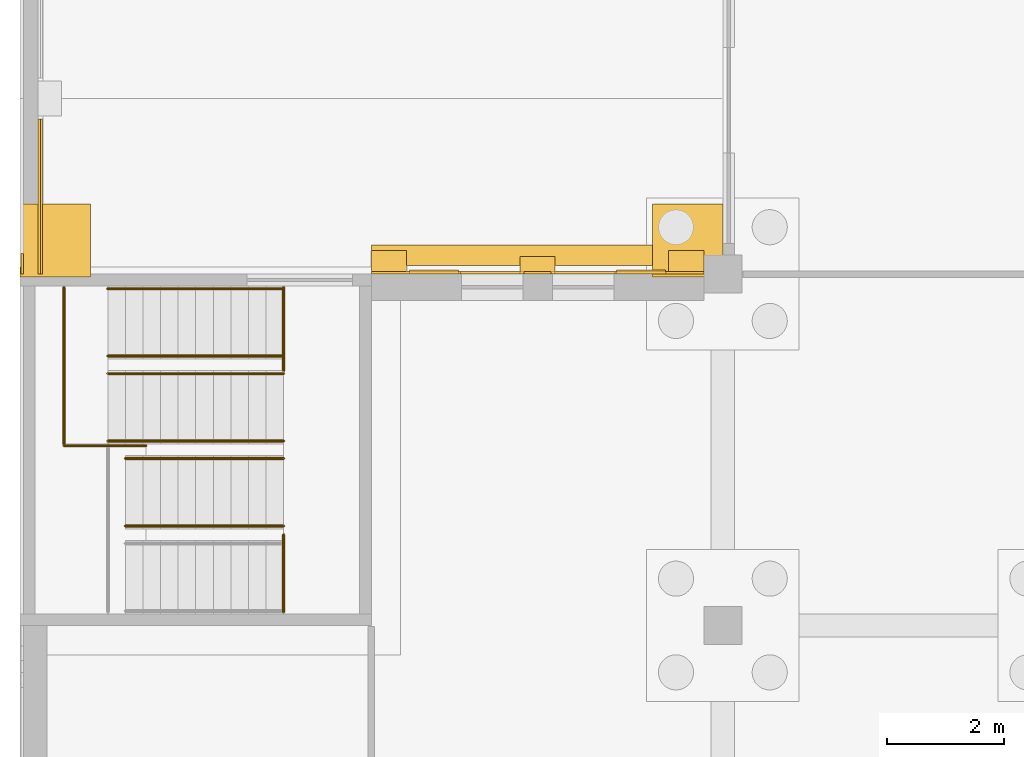
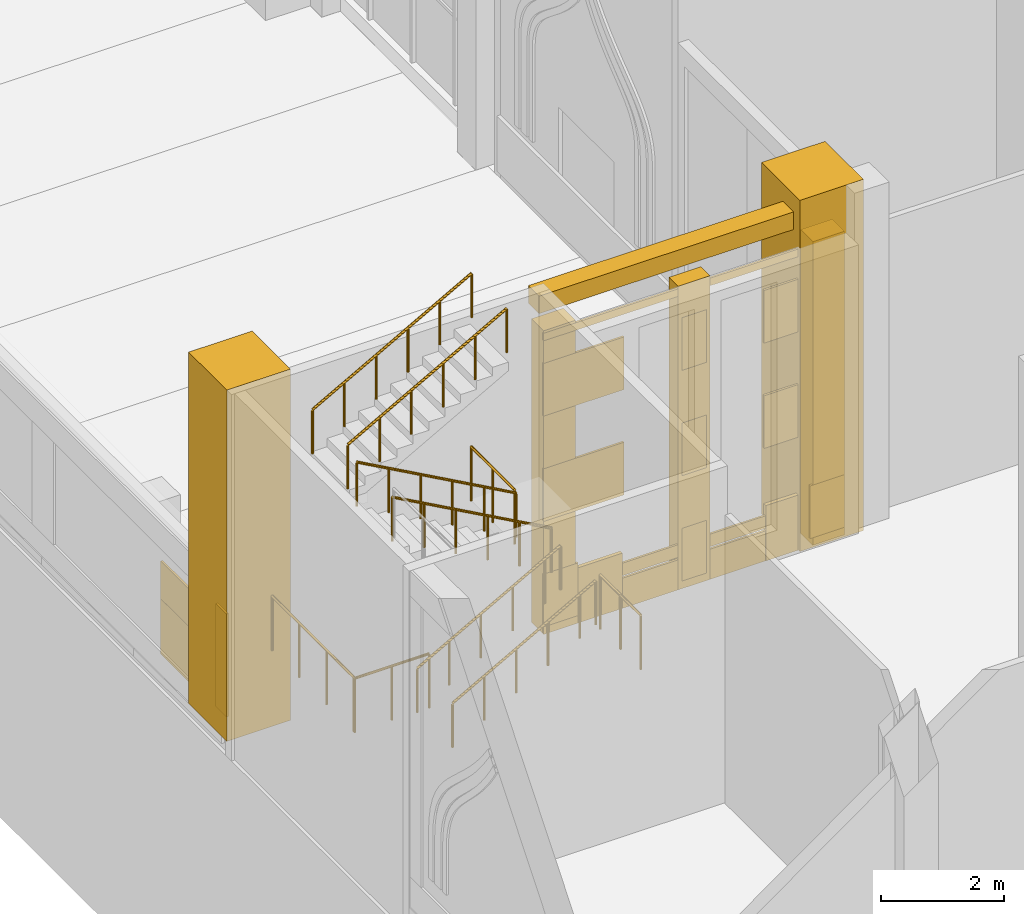
# One storey, part 62 of 95: 23 coverings, 10 railings.
"""IFC4 building model written with IfcOpenShell, lengths in metres."""

from ifc_helpers import new_model, si_unit, direction, frame, origin, origin_2d, place, context, subcontext, project, spatial, rectangle, circle, extrude, material, layer, layer_set, type_object, element, save


model = new_model("IFC4")

# Units and contexts
model_context = context("Model", 3, precision=1e-05, world=origin(), true_north=direction((0.0, 1.0)))
body_context = subcontext(model_context, "Body", "Model", "MODEL_VIEW")
ifc_project = project(units=[si_unit("LENGTHUNIT", "METRE"), si_unit("AREAUNIT", "SQUARE_METRE"), si_unit("VOLUMEUNIT", "CUBIC_METRE"), si_unit("PLANEANGLEUNIT", "RADIAN"), si_unit("MASSUNIT", "GRAM", prefix="KILO")], contexts=[model_context])

# Site, building, storey
site_placement = place(None, origin())
site = spatial("IfcSite", under=ifc_project, at=site_placement, CompositionType="ELEMENT")
building_placement = place(site_placement, origin())
building = spatial("IfcBuilding", under=site, at=building_placement, Name="Saffron Lane Theatres", CompositionType="ELEMENT")
storey_placement = place(building_placement, origin())
storey = spatial("IfcBuildingStorey", under=building, at=storey_placement, Name="L00", CompositionType="ELEMENT", Elevation=0.0)

# Coverings
ifc_material_1 = material(Name="Masonry sandstone", Category="masonry")
ifc_layer_1 = layer(ifc_material_1, 0.0400390625)
ifc_layer_set_1 = layer_set([ifc_layer_1], Name="Masonry sandstone")
covering_type_1 = type_object("IfcCoveringType", Name="EX-BANDING COURSE SANDSTONE 40", PredefinedType="CLADDING", material=ifc_layer_set_1)
covering_1_placement = place(storey_placement, frame((0.330078125, 31.324951171875, 1.10009765625), z_axis=(0.0, 0.0, 1.0), x_axis=(0.0, 1.0, 0.0)))
element("IfcCovering", 1, at=covering_1_placement, inside=storey, type_object=covering_type_1, Name="Banding course L00", PredefinedType="CLADDING", context=body_context, shape_type="SweptSolid", body=[
    extrude(rectangle(XDim=2.64990234375, YDim=0.0400390625, at=origin_2d()), origin(), (0.0, 0.0, 1.0), 0.75),
])
ifc_material_2 = material(Name="Face brick cladding, pale buff", Category="masonry")
ifc_layer_2 = layer(ifc_material_2, 0.0400390625)
ifc_layer_set_2 = layer_set([ifc_layer_2], Name="Face brick cladding, pale buff")
covering_type_2 = type_object("IfcCoveringType", Name="EX-FACE BRICK CLADDING PALE BUFF 40", PredefinedType="CLADDING", material=ifc_layer_set_2)
covering_2_placement = place(storey_placement, frame((6.324951171875, 30.02001953125, 0.14990234375), z_axis=(0.0, 0.0, 1.0), x_axis=(1.0, 0.0, 0.0)))
element("IfcCovering", 2, at=covering_2_placement, inside=storey, type_object=covering_type_2, Name="Cladding course L00", PredefinedType="CLADDING", context=body_context, shape_type="SweptSolid", body=[
    extrude(rectangle(XDim=0.64990234375, YDim=0.0400390625, at=origin_2d()), origin(), (0.0, 0.0, 1.0), 1.050048828125),
])
covering_3_placement = place(storey_placement, frame((8.837890625, 30.02001953125, 0.14990234375), z_axis=(0.0, 0.0, 1.0), x_axis=(1.0, 0.0, 0.0)))
element("IfcCovering", 3, at=covering_3_placement, inside=storey, type_object=covering_type_2, Name="Cladding course L00", PredefinedType="CLADDING", context=body_context, shape_type="SweptSolid", body=[
    extrude(rectangle(XDim=0.4599609375, YDim=0.0400390625, at=origin_2d()), origin(), (0.0, 0.0, 1.0), 1.050048828125),
])
covering_4_placement = place(storey_placement, frame((11.35009765625, 30.02001953125, 0.14990234375), z_axis=(0.0, 0.0, 1.0), x_axis=(1.0, 0.0, 0.0)))
element("IfcCovering", 4, at=covering_4_placement, inside=storey, type_object=covering_type_2, Name="Cladding course L00", PredefinedType="CLADDING", context=body_context, shape_type="SweptSolid", body=[
    extrude(rectangle(XDim=0.64990234375, YDim=0.0400390625, at=origin_2d()), origin(), (0.0, 0.0, 1.0), 1.050048828125),
])
covering_5_placement = place(storey_placement, frame((6.759033203125, 30.02001953125, 2.25), z_axis=(0.0, 0.0, 1.0), x_axis=(1.0, 0.0, 0.0)))
element("IfcCovering", 5, at=covering_5_placement, inside=storey, type_object=covering_type_2, Name="Cladding course L00", PredefinedType="CLADDING", context=body_context, shape_type="SweptSolid", body=[
    extrude(rectangle(XDim=1.51806640625, YDim=0.0400390625, at=origin_2d()), origin(), (0.0, 0.0, 1.0), 1.050048828125),
])
covering_6_placement = place(storey_placement, frame((8.837890625, 30.02001953125, 2.25), z_axis=(0.0, 0.0, 1.0), x_axis=(1.0, 0.0, 0.0)))
element("IfcCovering", 6, at=covering_6_placement, inside=storey, type_object=covering_type_2, Name="Cladding course L00", PredefinedType="CLADDING", context=body_context, shape_type="SweptSolid", body=[
    extrude(rectangle(XDim=0.4599609375, YDim=0.0400390625, at=origin_2d()), origin(), (0.0, 0.0, 1.0), 1.050048828125),
])
covering_7_placement = place(storey_placement, frame((10.916015625, 30.02001953125, 2.25), z_axis=(0.0, 0.0, 1.0), x_axis=(1.0, 0.0, 0.0)))
element("IfcCovering", 7, at=covering_7_placement, inside=storey, type_object=covering_type_2, Name="Cladding course L00", PredefinedType="CLADDING", context=body_context, shape_type="SweptSolid", body=[
    extrude(rectangle(XDim=1.51708984375, YDim=0.0400390625, at=origin_2d()), origin(), (0.0, 0.0, 1.0), 1.050048828125),
])
covering_8_placement = place(storey_placement, frame((6.759033203125, 30.02001953125, 4.35009765625), z_axis=(0.0, 0.0, 1.0), x_axis=(1.0, 0.0, 0.0)))
element("IfcCovering", 8, at=covering_8_placement, inside=storey, type_object=covering_type_2, Name="Cladding course L00", PredefinedType="CLADDING", context=body_context, shape_type="SweptSolid", body=[
    extrude(rectangle(XDim=1.51806640625, YDim=0.0400390625, at=origin_2d()), origin(), (0.0, 0.0, 1.0), 1.050048828125),
])
covering_9_placement = place(storey_placement, frame((8.837890625, 30.02001953125, 4.35009765625), z_axis=(0.0, 0.0, 1.0), x_axis=(1.0, 0.0, 0.0)))
element("IfcCovering", 9, at=covering_9_placement, inside=storey, type_object=covering_type_2, Name="Cladding course L00", PredefinedType="CLADDING", context=body_context, shape_type="SweptSolid", body=[
    extrude(rectangle(XDim=0.4599609375, YDim=0.0400390625, at=origin_2d()), origin(), (0.0, 0.0, 1.0), 1.050048828125),
])
covering_10_placement = place(storey_placement, frame((10.916015625, 30.02001953125, 4.35009765625), z_axis=(0.0, 0.0, 1.0), x_axis=(1.0, 0.0, 0.0)))
element("IfcCovering", 10, at=covering_10_placement, inside=storey, type_object=covering_type_2, Name="Cladding course L00", PredefinedType="CLADDING", context=body_context, shape_type="SweptSolid", body=[
    extrude(rectangle(XDim=1.51708984375, YDim=0.0400390625, at=origin_2d()), origin(), (0.0, 0.0, 1.0), 1.050048828125),
])
ifc_material_3 = material(Name="Face brick cladding, pale buff", Category="masonry")
ifc_layer_3 = layer(ifc_material_3, 0.0400390625)
ifc_layer_set_3 = layer_set([ifc_layer_3], Name="Face brick cladding, pale buff")
covering_type_3 = type_object("IfcCoveringType", Name="EX-FACE BRICK SKIN PALE BUFF 40", PredefinedType="CLADDING", material=ifc_layer_set_3)
covering_11_placement = place(storey_placement, frame((0.0400390625, 30.175048828125, 0.4501953125), z_axis=(0.0, 0.0, 1.0), x_axis=(0.0, 1.0, 0.0)))
element("IfcCovering", 11, at=covering_11_placement, inside=storey, type_object=covering_type_3, Name="Face brick cladding, pale buff L00", PredefinedType="CLADDING", context=body_context, shape_type="SweptSolid", body=[
    extrude(rectangle(XDim=0.35009765625, YDim=0.0400390625, at=origin_2d()), origin(), (0.0, 0.0, 1.0), 2.050048828125),
])
ifc_material_4 = material(Name="Masonry sandstone", Category="masonry")
ifc_layer_4 = layer(ifc_material_4, 0.0400390625)
ifc_layer_set_4 = layer_set([ifc_layer_4], Name="Masonry sandstone")
covering_type_4 = type_object("IfcCoveringType", Name="EX-HEAD COURSE SANDSTONE 150", PredefinedType="CLADDING", material=ifc_layer_set_4)
covering_12_placement = place(storey_placement, frame((8.83740234375, 30.02001953125, 5.85009765625), z_axis=(0.0, 0.0, 1.0), x_axis=(1.0, 0.0, 0.0)))
element("IfcCovering", 12, at=covering_12_placement, inside=storey, type_object=covering_type_4, Name="Facade head course L00", PredefinedType="CLADDING", context=body_context, shape_type="SweptSolid", body=[
    extrude(rectangle(XDim=5.675048828125, YDim=0.0400390625, at=origin_2d()), origin(), (0.0, 0.0, 1.0), 0.14990234375),
])
ifc_material_5 = material(Name="Masonry sandstone", Category="masonry")
ifc_layer_5 = layer(ifc_material_5, 0.39990234375)
ifc_layer_set_5 = layer_set([ifc_layer_5], Name="Masonry sandstone")
covering_type_5 = type_object("IfcCoveringType", Name="EX-PILASTER PIER SANDSTONE 400", PredefinedType="CLADDING", material=ifc_layer_set_5)
for number, where, z_axis, x_axis, name in (
    (13, (6.300048828125, 30.199951171875, 0.0), (0.0, 0.0, 1.0), (1.0, 0.0, 0.0), "Pilaster pier L00"),
    (14, (11.375, 30.199951171875, 0.0), (0.0, 0.0, 1.0), (1.0, 0.0, 0.0), "Pilaster pier L00"),
):
    element("IfcCovering", number, at=place(storey_placement, frame(where, z_axis=z_axis, x_axis=x_axis)), inside=storey, type_object=covering_type_5, Name=name, PredefinedType="CLADDING", context=body_context, shape_type="SweptSolid", body=[
        extrude(rectangle(XDim=0.60009765625, YDim=0.39990234375, at=origin_2d()), origin(), (0.0, 0.0, 1.0), 6.050048828125),
    ])
ifc_material_6 = material(Name="Masonry pale clay brick", Category="masonry")
ifc_layer_6 = layer(ifc_material_6, 0.300048828125)
ifc_layer_set_6 = layer_set([ifc_layer_6], Name="Masonry pale clay brick")
covering_type_6 = type_object("IfcCoveringType", Name="EX-PILASTER STRIP BRICK 300", PredefinedType="CLADDING", material=ifc_layer_set_6)
covering_13_placement = place(storey_placement, frame((8.837890625, 30.14990234375, 0.0), z_axis=(0.0, 0.0, 1.0), x_axis=(1.0, 0.0, 0.0)))
element("IfcCovering", 15, at=covering_13_placement, inside=storey, type_object=covering_type_6, Name="Pilaster strip L00", PredefinedType="CLADDING", context=body_context, shape_type="SweptSolid", body=[
    extrude(rectangle(XDim=0.60009765625, YDim=0.300048828125, at=origin_2d()), origin(), (0.0, 0.0, 1.0), 6.050048828125),
])
ifc_material_7 = material(Name="Masonry bluestone", Category="masonry")
ifc_layer_7 = layer(ifc_material_7, 0.0400390625)
ifc_layer_set_7 = layer_set([ifc_layer_7], Name="Masonry bluestone")
covering_type_7 = type_object("IfcCoveringType", Name="EX-PLINTH BLUESTONE 600", PredefinedType="CLADDING", material=ifc_layer_set_7)
covering_14_placement = place(storey_placement, frame((8.83740234375, 30.02001953125, 0.0), z_axis=(0.0, 0.0, 1.0), x_axis=(1.0, 0.0, 0.0)))
element("IfcCovering", 16, at=covering_14_placement, inside=storey, type_object=covering_type_7, Name="Facade plinth L00", PredefinedType="CLADDING", context=body_context, shape_type="SweptSolid", body=[
    extrude(rectangle(XDim=5.675048828125, YDim=0.0400390625, at=origin_2d()), origin(), (0.0, 0.0, 1.0), 0.60009765625),
])
ifc_material_8 = material(Name="Masonry sandstone", Category="masonry")
ifc_layer_8 = layer(ifc_material_8, 0.070068359375)
ifc_layer_set_8 = layer_set([ifc_layer_8], Name="Masonry sandstone")
covering_type_8 = type_object("IfcCoveringType", Name="EX-PLINTH COURSE SANDSTONE 70", PredefinedType="CLADDING", material=ifc_layer_set_8)
covering_15_placement = place(storey_placement, frame((7.069091796875, 30.034912109375, 0.0), z_axis=(0.0, 0.0, 1.0), x_axis=(1.0, 0.0, 0.0)))
element("IfcCovering", 17, at=covering_15_placement, inside=storey, type_object=covering_type_8, Name="Plinth course L00", PredefinedType="CLADDING", context=body_context, shape_type="SweptSolid", body=[
    extrude(rectangle(XDim=0.837890625, YDim=0.070068359375, at=origin_2d()), origin(), (0.0, 0.0, 1.0), 1.10009765625),
])
covering_16_placement = place(storey_placement, frame((10.60595703125, 30.034912109375, 0.0), z_axis=(0.0, 0.0, 1.0), x_axis=(1.0, 0.0, 0.0)))
element("IfcCovering", 18, at=covering_16_placement, inside=storey, type_object=covering_type_8, Name="Plinth course L00", PredefinedType="CLADDING", context=body_context, shape_type="SweptSolid", body=[
    extrude(rectangle(XDim=0.8369140625, YDim=0.070068359375, at=origin_2d()), origin(), (0.0, 0.0, 1.0), 1.10009765625),
])
covering_17_placement = place(storey_placement, frame((0.344970703125, 31.324951171875, 0.0), z_axis=(0.0, 0.0, 1.0), x_axis=(0.0, 1.0, 0.0)))
element("IfcCovering", 19, at=covering_17_placement, inside=storey, type_object=covering_type_8, Name="Plinth course L00", PredefinedType="CLADDING", context=body_context, shape_type="SweptSolid", body=[
    extrude(rectangle(XDim=2.64990234375, YDim=0.070068359375, at=origin_2d()), origin(), (0.0, 0.0, 1.0), 1.10009765625),
])
ifc_material_9 = material(Name="Masonry sandstone", Category="masonry")
ifc_layer_9 = layer(ifc_material_9, 1.199951171875)
ifc_layer_set_9 = layer_set([ifc_layer_9], Name="Masonry sandstone")
covering_type_9 = type_object("IfcCoveringType", Name="EX-REAR BUTTRESS PIER SANDSTONE 1200", PredefinedType="CLADDING", material=ifc_layer_set_9)
for number, where, z_axis, x_axis, name in (
    (20, (0.60009765625, 30.574951171875, 0.0), (0.0, 0.0, 1.0), (1.0, 0.0, 0.0), "Rear buttress pier L00"),
    (21, (11.39990234375, 30.574951171875, 0.0), (0.0, 0.0, 1.0), (1.0, 0.0, 0.0), "Rear buttress pier L00"),
):
    element("IfcCovering", number, at=place(storey_placement, frame(where, z_axis=z_axis, x_axis=x_axis)), inside=storey, type_object=covering_type_9, Name=name, PredefinedType="CLADDING", context=body_context, shape_type="SweptSolid", body=[
        extrude(rectangle(XDim=1.199951171875, YDim=1.25, at=origin_2d()), origin(), (0.0, 0.0, 1.0), 7.0),
    ])
ifc_material_10 = material(Name="Masonry sandstone", Category="masonry")
ifc_layer_10 = layer(ifc_material_10, 0.0400390625)
ifc_layer_set_10 = layer_set([ifc_layer_10], Name="Masonry sandstone")
covering_type_10 = type_object("IfcCoveringType", Name="EX-SILL COURSE SANDSTONE 250", PredefinedType="CLADDING", material=ifc_layer_set_10)
covering_18_placement = place(storey_placement, frame((8.83740234375, 30.02001953125, 0.64990234375), z_axis=(0.0, 0.0, 1.0), x_axis=(1.0, 0.0, 0.0)))
element("IfcCovering", 22, at=covering_18_placement, inside=storey, type_object=covering_type_10, Name="Facade sill course L00", PredefinedType="CLADDING", context=body_context, shape_type="SweptSolid", body=[
    extrude(rectangle(XDim=5.675048828125, YDim=0.0400390625, at=origin_2d()), origin(), (0.0, 0.0, 1.0), 0.25),
])
ifc_material_11 = material(Name="Masonry sandstone", Category="masonry")
ifc_layer_11 = layer(ifc_material_11, 0.300048828125)
ifc_layer_set_11 = layer_set([ifc_layer_11], Name="Masonry sandstone")
covering_type_11 = type_object("IfcCoveringType", Name="EX-STRING COURSE SANDSTONE 350", PredefinedType="CLADDING", material=ifc_layer_set_11)
covering_19_placement = place(storey_placement, frame((8.837890625, 30.324951171875, 6.300048828125), z_axis=(0.0, 0.0, 1.0), x_axis=(1.0, 0.0, 0.0)))
element("IfcCovering", 23, at=covering_19_placement, inside=storey, type_object=covering_type_11, Name="String course L00", PredefinedType="CLADDING", context=body_context, shape_type="SweptSolid", body=[
    extrude(rectangle(XDim=5.675048828125, YDim=0.35009765625, at=origin_2d()), origin(), (0.0, 0.0, 1.0), 0.35009765625),
])

# Railings
ifc_material_12 = material(Name="Steel Grade 350", Category="steel")
railing_type_1 = type_object("IfcRailingType", Name="VC-GUARD 1100", PredefinedType="GUARDRAIL", material=ifc_material_12)
railing_1_placement = place(storey_placement, frame((0.75, 27.10009765625, 1.666748046875)))
element("IfcRailing", 24, at=railing_1_placement, inside=storey, type_object=railing_type_1, Name="Workshop North Stair landing guard 1N1s", PredefinedType="GUARDRAIL", context=body_context, shape_type="SweptSolid", body=[
    extrude(circle(Radius=0.02392578125, at=origin_2d()), frame((0.0, 0.0, 1.076171875), z_axis=(0.0, 1.0, 0.0), x_axis=(-1.0, 0.0, 0.0)), (0.0, 0.0, 1.0), 2.669921875),
    extrude(circle(Radius=0.02099609375, at=origin_2d()), origin(), (0.0, 0.0, 1.0), 1.052001953125),
    extrude(circle(Radius=0.02099609375, at=origin_2d()), frame((0.0, 0.889892578125, 0.0)), (0.0, 0.0, 1.0), 1.052001953125),
    extrude(circle(Radius=0.02099609375, at=origin_2d()), frame((0.0, 1.780029296875, 0.0)), (0.0, 0.0, 1.0), 1.052001953125),
    extrude(circle(Radius=0.02099609375, at=origin_2d()), frame((0.0, 2.669921875, 0.0)), (0.0, 0.0, 1.0), 1.052001953125),
])
railing_2_placement = place(storey_placement, frame((2.14990234375, 27.070068359375, 1.666748046875)))
element("IfcRailing", 25, at=railing_2_placement, inside=storey, type_object=railing_type_1, Name="Workshop North Stair landing guard 1N1e", PredefinedType="GUARDRAIL", context=body_context, shape_type="SweptSolid", body=[
    extrude(circle(Radius=0.02392578125, at=origin_2d()), frame((0.0, 0.0, 1.076171875), z_axis=(-1.0, 0.0, 0.0), x_axis=(0.0, -1.0, 0.0)), (0.0, 0.0, 1.0), 1.39990234375),
    extrude(circle(Radius=0.02099609375, at=origin_2d()), origin(), (0.0, 0.0, 1.0), 1.052001953125),
    extrude(circle(Radius=0.02099609375, at=origin_2d()), frame((-0.699951171875, 0.0, 0.0)), (0.0, 0.0, 1.0), 1.052001953125),
    extrude(circle(Radius=0.02099609375, at=origin_2d()), frame((-1.39990234375, 0.0, 0.0)), (0.0, 0.0, 1.0), 1.052001953125),
])
railing_3_placement = place(storey_placement, frame((4.5, 24.22998046875, 3.333251953125)))
element("IfcRailing", 26, at=railing_3_placement, inside=storey, type_object=railing_type_1, Name="Workshop North Stair landing guard 1S2w", PredefinedType="GUARDRAIL", context=body_context, shape_type="SweptSolid", body=[
    extrude(circle(Radius=0.02392578125, at=origin_2d()), frame((0.0, 0.0, 1.076171875), z_axis=(0.0, 1.0, 0.0), x_axis=(-1.0, 0.0, 0.0)), (0.0, 0.0, 1.0), 1.320068359375),
    extrude(circle(Radius=0.02099609375, at=origin_2d()), origin(), (0.0, 0.0, 1.0), 1.052001953125),
    extrude(circle(Radius=0.02099609375, at=origin_2d()), frame((0.0, 0.66015625, 0.0)), (0.0, 0.0, 1.0), 1.052001953125),
    extrude(circle(Radius=0.02099609375, at=origin_2d()), frame((0.0, 1.320068359375, 0.0)), (0.0, 0.0, 1.0), 1.052001953125),
])
railing_4_placement = place(storey_placement, frame((4.5, 28.35009765625, 3.333251953125)))
element("IfcRailing", 27, at=railing_4_placement, inside=storey, type_object=railing_type_1, Name="Workshop North Stair landing guard 1S2e", PredefinedType="GUARDRAIL", context=body_context, shape_type="SweptSolid", body=[
    extrude(circle(Radius=0.02392578125, at=origin_2d()), frame((0.0, 0.0, 1.076171875), z_axis=(0.0, 1.0, 0.0), x_axis=(-1.0, 0.0, 0.0)), (0.0, 0.0, 1.0), 1.419921875),
    extrude(circle(Radius=0.02099609375, at=origin_2d()), origin(), (0.0, 0.0, 1.0), 1.052001953125),
    extrude(circle(Radius=0.02099609375, at=origin_2d()), frame((0.0, 0.7099609375, 0.0)), (0.0, 0.0, 1.0), 1.052001953125),
    extrude(circle(Radius=0.02099609375, at=origin_2d()), frame((0.0, 1.419921875, 0.0)), (0.0, 0.0, 1.0), 1.052001953125),
])
ifc_material_13 = material(Name="Steel Grade 350", Category="steel")
railing_type_2 = type_object("IfcRailingType", Name="VC-HANDRAIL 900", PredefinedType="HANDRAIL", material=ifc_material_13)
railing_5_placement = place(storey_placement, frame((1.800048828125, 25.699951171875, 1.833251953125)))
element("IfcRailing", 28, at=railing_5_placement, inside=storey, type_object=railing_type_2, Name="Workshop North Stair handrail 1.2a", PredefinedType="HANDRAIL", context=body_context, shape_type="SweptSolid", body=[
    extrude(circle(Radius=0.02392578125, at=origin_2d()), frame((0.0, 0.0, 0.8759765625), z_axis=(0.874006220275, 0.0, 0.485914732151), x_axis=(0.0, 1.0, 0.0)), (0.0, 0.0, 1.0), 0.686279296875),
    extrude(circle(Radius=0.02392578125, at=origin_2d()), frame((0.599853515625, 0.0, 1.20947265625), z_axis=(0.874241147926, 0.0, 0.485491931212), x_axis=(0.0, 1.0, 0.0)), (0.0, 0.0, 1.0), 0.6865234375),
    extrude(circle(Radius=0.02392578125, at=origin_2d()), frame((1.199951171875, 0.0, 1.54248046875), z_axis=(0.874241147926, 0.0, 0.485491931212), x_axis=(0.0, 1.0, 0.0)), (0.0, 0.0, 1.0), 0.6865234375),
    extrude(circle(Radius=0.02392578125, at=origin_2d()), frame((1.800048828125, 0.0, 1.8759765625), z_axis=(0.874006220275, 0.0, 0.485914732151), x_axis=(0.0, 1.0, 0.0)), (0.0, 0.0, 1.0), 0.686279296875),
    extrude(circle(Radius=0.02392578125, at=origin_2d()), frame((2.39990234375, 0.0, 2.20947265625), z_axis=(0.87439209197, 0.0, 0.485220021744), x_axis=(0.0, 1.0, 0.0)), (0.0, 0.0, 1.0), 0.34326171875),
    extrude(circle(Radius=0.02099609375, at=origin_2d()), origin(), (0.0, 0.0, 1.0), 0.851806640625),
    extrude(circle(Radius=0.02099609375, at=origin_2d()), frame((0.599853515625, 0.0, 0.33349609375)), (0.0, 0.0, 1.0), 0.851806640625),
    extrude(circle(Radius=0.02099609375, at=origin_2d()), frame((1.199951171875, 0.0, 0.666748046875)), (0.0, 0.0, 1.0), 0.851806640625),
    extrude(circle(Radius=0.02099609375, at=origin_2d()), frame((1.800048828125, 0.0, 1.0)), (0.0, 0.0, 1.0), 0.851806640625),
    extrude(circle(Radius=0.02099609375, at=origin_2d()), frame((2.39990234375, 0.0, 1.33349609375)), (0.0, 0.0, 1.0), 0.851806640625),
    extrude(circle(Radius=0.02099609375, at=origin_2d()), frame((2.699951171875, 0.0, 1.5)), (0.0, 0.0, 1.0), 0.851806640625),
])
railing_6_placement = place(storey_placement, frame((1.800048828125, 26.85009765625, 1.833251953125)))
element("IfcRailing", 29, at=railing_6_placement, inside=storey, type_object=railing_type_2, Name="Workshop North Stair handrail 1.2b", PredefinedType="HANDRAIL", context=body_context, shape_type="SweptSolid", body=[
    extrude(circle(Radius=0.02392578125, at=origin_2d()), frame((0.0, 0.0, 0.8759765625), z_axis=(0.874006220275, 0.0, 0.485914732151), x_axis=(0.0, 1.0, 0.0)), (0.0, 0.0, 1.0), 0.686279296875),
    extrude(circle(Radius=0.02392578125, at=origin_2d()), frame((0.599853515625, 0.0, 1.20947265625), z_axis=(0.874241147926, 0.0, 0.485491931212), x_axis=(0.0, 1.0, 0.0)), (0.0, 0.0, 1.0), 0.6865234375),
    extrude(circle(Radius=0.02392578125, at=origin_2d()), frame((1.199951171875, 0.0, 1.54248046875), z_axis=(0.874241147926, 0.0, 0.485491931212), x_axis=(0.0, 1.0, 0.0)), (0.0, 0.0, 1.0), 0.6865234375),
    extrude(circle(Radius=0.02392578125, at=origin_2d()), frame((1.800048828125, 0.0, 1.8759765625), z_axis=(0.874006220275, 0.0, 0.485914732151), x_axis=(0.0, 1.0, 0.0)), (0.0, 0.0, 1.0), 0.686279296875),
    extrude(circle(Radius=0.02392578125, at=origin_2d()), frame((2.39990234375, 0.0, 2.20947265625), z_axis=(0.87439209197, 0.0, 0.485220021744), x_axis=(0.0, 1.0, 0.0)), (0.0, 0.0, 1.0), 0.34326171875),
    extrude(circle(Radius=0.02099609375, at=origin_2d()), origin(), (0.0, 0.0, 1.0), 0.851806640625),
    extrude(circle(Radius=0.02099609375, at=origin_2d()), frame((0.599853515625, 0.0, 0.33349609375)), (0.0, 0.0, 1.0), 0.851806640625),
    extrude(circle(Radius=0.02099609375, at=origin_2d()), frame((1.199951171875, 0.0, 0.666748046875)), (0.0, 0.0, 1.0), 0.851806640625),
    extrude(circle(Radius=0.02099609375, at=origin_2d()), frame((1.800048828125, 0.0, 1.0)), (0.0, 0.0, 1.0), 0.851806640625),
    extrude(circle(Radius=0.02099609375, at=origin_2d()), frame((2.39990234375, 0.0, 1.33349609375)), (0.0, 0.0, 1.0), 0.851806640625),
    extrude(circle(Radius=0.02099609375, at=origin_2d()), frame((2.699951171875, 0.0, 1.5)), (0.0, 0.0, 1.0), 0.851806640625),
])
railing_7_placement = place(storey_placement, frame((4.5, 27.14990234375, 3.5)))
element("IfcRailing", 30, at=railing_7_placement, inside=storey, type_object=railing_type_2, Name="Workshop North Stair handrail 1.3a", PredefinedType="HANDRAIL", context=body_context, shape_type="SweptSolid", body=[
    extrude(circle(Radius=0.02392578125, at=origin_2d()), frame((0.0, 0.0, 0.8759765625), z_axis=(-0.874241147926, 0.0, 0.485491931212), x_axis=(0.0, -1.0, 0.0)), (0.0, 0.0, 1.0), 0.6865234375),
    extrude(circle(Radius=0.02392578125, at=origin_2d()), frame((-0.60009765625, 0.0, 1.208984375), z_axis=(-0.874006220275, 0.0, 0.485914732151), x_axis=(0.0, -1.0, 0.0)), (0.0, 0.0, 1.0), 0.686279296875),
    extrude(circle(Radius=0.02392578125, at=origin_2d()), frame((-1.199951171875, 0.0, 1.54248046875), z_axis=(-0.874241147926, 0.0, 0.485491931212), x_axis=(0.0, -1.0, 0.0)), (0.0, 0.0, 1.0), 0.6865234375),
    extrude(circle(Radius=0.02392578125, at=origin_2d()), frame((-1.800048828125, 0.0, 1.8759765625), z_axis=(-0.874157276122, 0.0, 0.485642931179), x_axis=(0.0, -1.0, 0.0)), (0.0, 0.0, 1.0), 0.686279296875),
    extrude(circle(Radius=0.02392578125, at=origin_2d()), frame((-2.39990234375, 0.0, 2.208984375), z_axis=(-0.874090171491, 0.0, 0.485763699861), x_axis=(0.0, -1.0, 0.0)), (0.0, 0.0, 1.0), 0.6865234375),
    extrude(circle(Radius=0.02099609375, at=origin_2d()), origin(), (0.0, 0.0, 1.0), 0.851806640625),
    extrude(circle(Radius=0.02099609375, at=origin_2d()), frame((-0.60009765625, 0.0, 0.333251953125)), (0.0, 0.0, 1.0), 0.851806640625),
    extrude(circle(Radius=0.02099609375, at=origin_2d()), frame((-1.199951171875, 0.0, 0.666748046875)), (0.0, 0.0, 1.0), 0.851806640625),
    extrude(circle(Radius=0.02099609375, at=origin_2d()), frame((-1.800048828125, 0.0, 1.0)), (0.0, 0.0, 1.0), 0.851806640625),
    extrude(circle(Radius=0.02099609375, at=origin_2d()), frame((-2.39990234375, 0.0, 1.333251953125)), (0.0, 0.0, 1.0), 0.851806640625),
    extrude(circle(Radius=0.02099609375, at=origin_2d()), frame((-3.0, 0.0, 1.666748046875)), (0.0, 0.0, 1.0), 0.851806640625),
])
railing_8_placement = place(storey_placement, frame((4.5, 28.300048828125, 3.5)))
element("IfcRailing", 31, at=railing_8_placement, inside=storey, type_object=railing_type_2, Name="Workshop North Stair handrail 1.3b", PredefinedType="HANDRAIL", context=body_context, shape_type="SweptSolid", body=[
    extrude(circle(Radius=0.02392578125, at=origin_2d()), frame((0.0, 0.0, 0.8759765625), z_axis=(-0.874241147926, 0.0, 0.485491931212), x_axis=(0.0, -1.0, 0.0)), (0.0, 0.0, 1.0), 0.6865234375),
    extrude(circle(Radius=0.02392578125, at=origin_2d()), frame((-0.60009765625, 0.0, 1.208984375), z_axis=(-0.874006220275, 0.0, 0.485914732151), x_axis=(0.0, -1.0, 0.0)), (0.0, 0.0, 1.0), 0.686279296875),
    extrude(circle(Radius=0.02392578125, at=origin_2d()), frame((-1.199951171875, 0.0, 1.54248046875), z_axis=(-0.874241147926, 0.0, 0.485491931212), x_axis=(0.0, -1.0, 0.0)), (0.0, 0.0, 1.0), 0.6865234375),
    extrude(circle(Radius=0.02392578125, at=origin_2d()), frame((-1.800048828125, 0.0, 1.8759765625), z_axis=(-0.874157276122, 0.0, 0.485642931179), x_axis=(0.0, -1.0, 0.0)), (0.0, 0.0, 1.0), 0.686279296875),
    extrude(circle(Radius=0.02392578125, at=origin_2d()), frame((-2.39990234375, 0.0, 2.208984375), z_axis=(-0.874090171491, 0.0, 0.485763699861), x_axis=(0.0, -1.0, 0.0)), (0.0, 0.0, 1.0), 0.6865234375),
    extrude(circle(Radius=0.02099609375, at=origin_2d()), origin(), (0.0, 0.0, 1.0), 0.851806640625),
    extrude(circle(Radius=0.02099609375, at=origin_2d()), frame((-0.60009765625, 0.0, 0.333251953125)), (0.0, 0.0, 1.0), 0.851806640625),
    extrude(circle(Radius=0.02099609375, at=origin_2d()), frame((-1.199951171875, 0.0, 0.666748046875)), (0.0, 0.0, 1.0), 0.851806640625),
    extrude(circle(Radius=0.02099609375, at=origin_2d()), frame((-1.800048828125, 0.0, 1.0)), (0.0, 0.0, 1.0), 0.851806640625),
    extrude(circle(Radius=0.02099609375, at=origin_2d()), frame((-2.39990234375, 0.0, 1.333251953125)), (0.0, 0.0, 1.0), 0.851806640625),
    extrude(circle(Radius=0.02099609375, at=origin_2d()), frame((-3.0, 0.0, 1.666748046875)), (0.0, 0.0, 1.0), 0.851806640625),
])
railing_9_placement = place(storey_placement, frame((1.5, 28.60009765625, 5.333251953125)))
element("IfcRailing", 32, at=railing_9_placement, inside=storey, type_object=railing_type_2, Name="Workshop North Stair handrail 1.4a", PredefinedType="HANDRAIL", context=body_context, shape_type="SweptSolid", body=[
    extrude(circle(Radius=0.02392578125, at=origin_2d()), frame((0.0, 0.0, 0.8759765625), z_axis=(0.874090171491, 0.0, 0.485763699861), x_axis=(0.0, 1.0, 0.0)), (0.0, 0.0, 1.0), 0.6865234375),
    extrude(circle(Radius=0.02392578125, at=origin_2d()), frame((0.60009765625, 0.0, 1.20947265625), z_axis=(0.874157276122, 0.0, 0.485642931179), x_axis=(0.0, 1.0, 0.0)), (0.0, 0.0, 1.0), 0.686279296875),
    extrude(circle(Radius=0.02392578125, at=origin_2d()), frame((1.199951171875, 0.0, 1.54248046875), z_axis=(0.874241147926, 0.0, 0.485491931212), x_axis=(0.0, 1.0, 0.0)), (0.0, 0.0, 1.0), 0.6865234375),
    extrude(circle(Radius=0.02392578125, at=origin_2d()), frame((1.800048828125, 0.0, 1.8759765625), z_axis=(0.874006220275, 0.0, 0.485914732151), x_axis=(0.0, 1.0, 0.0)), (0.0, 0.0, 1.0), 0.686279296875),
    extrude(circle(Radius=0.02392578125, at=origin_2d()), frame((2.39990234375, 0.0, 2.20947265625), z_axis=(0.874241147926, 0.0, 0.485491931212), x_axis=(0.0, 1.0, 0.0)), (0.0, 0.0, 1.0), 0.6865234375),
    extrude(circle(Radius=0.02099609375, at=origin_2d()), origin(), (0.0, 0.0, 1.0), 0.851806640625),
    extrude(circle(Radius=0.02099609375, at=origin_2d()), frame((0.60009765625, 0.0, 0.33349609375)), (0.0, 0.0, 1.0), 0.851806640625),
    extrude(circle(Radius=0.02099609375, at=origin_2d()), frame((1.199951171875, 0.0, 0.666748046875)), (0.0, 0.0, 1.0), 0.851806640625),
    extrude(circle(Radius=0.02099609375, at=origin_2d()), frame((1.800048828125, 0.0, 1.0)), (0.0, 0.0, 1.0), 0.851806640625),
    extrude(circle(Radius=0.02099609375, at=origin_2d()), frame((2.39990234375, 0.0, 1.33349609375)), (0.0, 0.0, 1.0), 0.851806640625),
    extrude(circle(Radius=0.02099609375, at=origin_2d()), frame((3.0, 0.0, 1.666748046875)), (0.0, 0.0, 1.0), 0.851806640625),
])
railing_10_placement = place(storey_placement, frame((1.5, 29.75, 5.333251953125)))
element("IfcRailing", 33, at=railing_10_placement, inside=storey, type_object=railing_type_2, Name="Workshop North Stair handrail 1.4b", PredefinedType="HANDRAIL", context=body_context, shape_type="SweptSolid", body=[
    extrude(circle(Radius=0.02392578125, at=origin_2d()), frame((0.0, 0.0, 0.8759765625), z_axis=(0.874090171491, 0.0, 0.485763699861), x_axis=(0.0, 1.0, 0.0)), (0.0, 0.0, 1.0), 0.6865234375),
    extrude(circle(Radius=0.02392578125, at=origin_2d()), frame((0.60009765625, 0.0, 1.20947265625), z_axis=(0.874157276122, 0.0, 0.485642931179), x_axis=(0.0, 1.0, 0.0)), (0.0, 0.0, 1.0), 0.686279296875),
    extrude(circle(Radius=0.02392578125, at=origin_2d()), frame((1.199951171875, 0.0, 1.54248046875), z_axis=(0.874241147926, 0.0, 0.485491931212), x_axis=(0.0, 1.0, 0.0)), (0.0, 0.0, 1.0), 0.6865234375),
    extrude(circle(Radius=0.02392578125, at=origin_2d()), frame((1.800048828125, 0.0, 1.8759765625), z_axis=(0.874006220275, 0.0, 0.485914732151), x_axis=(0.0, 1.0, 0.0)), (0.0, 0.0, 1.0), 0.686279296875),
    extrude(circle(Radius=0.02392578125, at=origin_2d()), frame((2.39990234375, 0.0, 2.20947265625), z_axis=(0.874241147926, 0.0, 0.485491931212), x_axis=(0.0, 1.0, 0.0)), (0.0, 0.0, 1.0), 0.6865234375),
    extrude(circle(Radius=0.02099609375, at=origin_2d()), origin(), (0.0, 0.0, 1.0), 0.851806640625),
    extrude(circle(Radius=0.02099609375, at=origin_2d()), frame((0.60009765625, 0.0, 0.33349609375)), (0.0, 0.0, 1.0), 0.851806640625),
    extrude(circle(Radius=0.02099609375, at=origin_2d()), frame((1.199951171875, 0.0, 0.666748046875)), (0.0, 0.0, 1.0), 0.851806640625),
    extrude(circle(Radius=0.02099609375, at=origin_2d()), frame((1.800048828125, 0.0, 1.0)), (0.0, 0.0, 1.0), 0.851806640625),
    extrude(circle(Radius=0.02099609375, at=origin_2d()), frame((2.39990234375, 0.0, 1.33349609375)), (0.0, 0.0, 1.0), 0.851806640625),
    extrude(circle(Radius=0.02099609375, at=origin_2d()), frame((3.0, 0.0, 1.666748046875)), (0.0, 0.0, 1.0), 0.851806640625),
])

save(model, "model.ifc")
